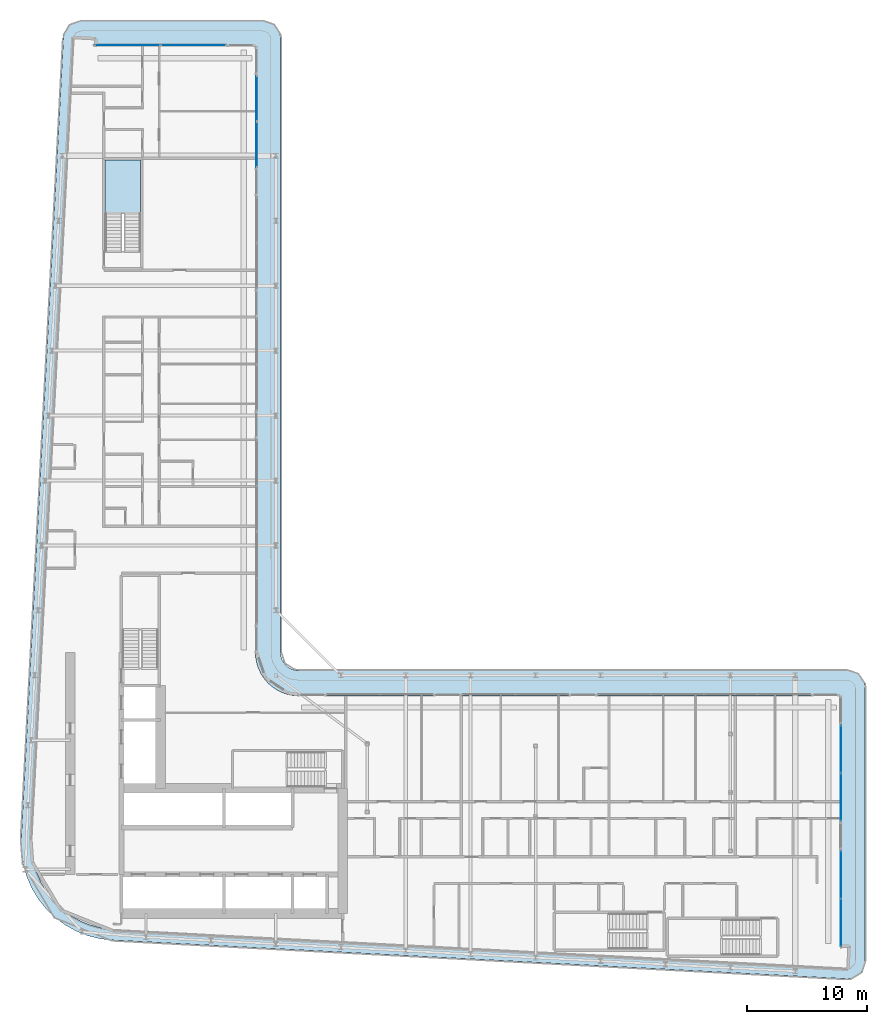
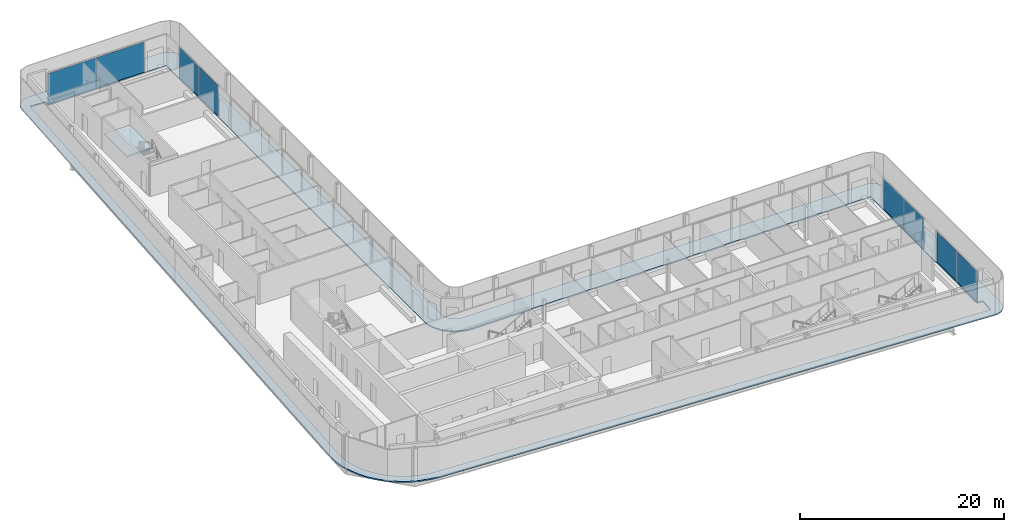
# One storey, part 13 of 29: 8 plates, 2 slabs, 5 elements without a shape of their own.
"""IFC4 building model written with IfcOpenShell, lengths in metres."""

from ifc_helpers import new_model, si_unit, direction, frame, origin, origin_2d, place, context, subcontext, project, spatial, polyline, rectangle, outline, extrude, material, layer, layer_set, type_object, element, aggregate, save


model = new_model("IFC4")

# Units and contexts
model_context = context("Model", 3, precision=1e-05, world=origin(), true_north=direction((0.0, 1.0)))
body_context = subcontext(model_context, "Body", "Model", "MODEL_VIEW")
ifc_project = project(units=[si_unit("LENGTHUNIT", "METRE"), si_unit("AREAUNIT", "SQUARE_METRE"), si_unit("VOLUMEUNIT", "CUBIC_METRE"), si_unit("PLANEANGLEUNIT", "RADIAN"), si_unit("MASSUNIT", "GRAM", prefix="KILO")], contexts=[model_context])

# Site, building, storey
site_placement = place(None, origin())
site = spatial("IfcSite", under=ifc_project, at=site_placement, CompositionType="ELEMENT")
building_placement = place(site_placement, origin())
building = spatial("IfcBuilding", under=site, at=building_placement, Name="Kheshtan School and Residences Tower", CompositionType="ELEMENT")
storey_placement = place(building_placement, frame((0.0, 0.0, 172.10009765625)))
storey = spatial("IfcBuildingStorey", under=building, at=storey_placement, Name="L40", CompositionType="ELEMENT", Elevation=172.10009765625)

# Curtain wall, plates
ifc_material_1 = material(Name="Clear low-e glass in thermally broken aluminium frame", Category="aluminium")
ifc_layer_1 = layer(ifc_material_1, 0.199951171875)
ifc_layer_set_1 = layer_set([ifc_layer_1], Name="Curtain wall CW-L")
curtain_wall_type = type_object("IfcCurtainWallType", Name="Curtain wall CW-L", PredefinedType="NOTDEFINED", material=ifc_layer_set_1)
curtain_wall_1_placement = place(storey_placement, origin())
curtain_wall_1 = element("IfcCurtainWall", 1, at=curtain_wall_1_placement, inside=storey, type_object=curtain_wall_type, Name="Curtain wall CWL7", PredefinedType="NOTDEFINED")
ifc_layer_2 = layer(ifc_material_1, 0.031982421875)
ifc_layer_set_2 = layer_set([ifc_layer_2], Name="CW-L glass panel")
plate_type = type_object("IfcPlateType", Name="CW-L glass panel", PredefinedType="CURTAIN_PANEL", material=ifc_layer_set_2)
plate_1_placement = place(storey_placement, frame((35.259033203125, 98.0, 0.0), z_axis=(0.0, 0.0, 1.0), x_axis=(1.0, 0.0, 0.0)))
plate_1 = element("IfcPlate", 2, at=plate_1_placement, type_object=plate_type, Name="CWL7 panel 1.1", PredefinedType="CURTAIN_PANEL", context=body_context, shape_type="SweptSolid", body=[
    extrude(rectangle(XDim=5.4140625, YDim=0.031982421875, at=origin_2d()), origin(), (0.0, 0.0, 1.0), 3.6298828125),
])
plate_2_placement = place(storey_placement, frame((40.73291015625, 98.0, 0.0), z_axis=(0.0, 0.0, 1.0), x_axis=(1.0, 0.0, 0.0)))
plate_2 = element("IfcPlate", 3, at=plate_2_placement, type_object=plate_type, Name="CWL7 panel 2.1", PredefinedType="CURTAIN_PANEL", context=body_context, shape_type="SweptSolid", body=[
    extrude(rectangle(XDim=5.4140625, YDim=0.031982421875, at=origin_2d()), origin(), (0.0, 0.0, 1.0), 3.6298828125),
])
aggregate(curtain_wall_1, [plate_1, plate_2])

curtain_wall_2_placement = place(storey_placement, origin())
curtain_wall_2 = element("IfcCurtainWall", 4, at=curtain_wall_2_placement, inside=storey, type_object=curtain_wall_type, Name="Curtain wall CWL8", PredefinedType="NOTDEFINED")
plate_3_placement = place(storey_placement, frame((46.0, 93.5615234375, 0.0), z_axis=(0.0, 0.0, 1.0), x_axis=(0.0, -1.0, 0.0)))
plate_3 = element("IfcPlate", 5, at=plate_3_placement, type_object=plate_type, Name="CWL8 panel 1.1", PredefinedType="CURTAIN_PANEL", context=body_context, shape_type="SweptSolid", body=[
    extrude(rectangle(XDim=3.757080078125, YDim=0.031982421875, at=origin_2d()), origin(), (0.0, 0.0, 1.0), 3.6298828125),
])
plate_4_placement = place(storey_placement, frame((46.0, 89.744384765625, 0.0), z_axis=(0.0, 0.0, 1.0), x_axis=(0.0, -1.0, 0.0)))
plate_4 = element("IfcPlate", 6, at=plate_4_placement, type_object=plate_type, Name="CWL8 panel 2.1", PredefinedType="CURTAIN_PANEL", context=body_context, shape_type="SweptSolid", body=[
    extrude(rectangle(XDim=3.757080078125, YDim=0.031982421875, at=origin_2d()), origin(), (0.0, 0.0, 1.0), 3.6298828125),
])
aggregate(curtain_wall_2, [plate_3, plate_4])

curtain_wall_3_placement = place(storey_placement, origin())
curtain_wall_3 = element("IfcCurtainWall", 7, at=curtain_wall_3_placement, inside=storey, type_object=curtain_wall_type, Name="Curtain wall CWL13a", PredefinedType="NOTDEFINED")
plate_5_placement = place(storey_placement, frame((94.60009765625, 39.47216796875, 0.0), z_axis=(0.0, 0.0, 1.0), x_axis=(0.0, -1.0, 0.0)))
plate_5 = element("IfcPlate", 8, at=plate_5_placement, type_object=plate_type, Name="CWL13a panel 1.1", PredefinedType="CURTAIN_PANEL", context=body_context, shape_type="SweptSolid", body=[
    extrude(rectangle(XDim=3.935546875, YDim=0.031982421875, at=origin_2d()), origin(), (0.0, 0.0, 1.0), 3.6298828125),
])
plate_6_placement = place(storey_placement, frame((94.60009765625, 35.476806640625, 0.0), z_axis=(0.0, 0.0, 1.0), x_axis=(0.0, -1.0, 0.0)))
plate_6 = element("IfcPlate", 9, at=plate_6_placement, type_object=plate_type, Name="CWL13a panel 2.1", PredefinedType="CURTAIN_PANEL", context=body_context, shape_type="SweptSolid", body=[
    extrude(rectangle(XDim=3.935546875, YDim=0.031982421875, at=origin_2d()), origin(), (0.0, 0.0, 1.0), 3.6298828125),
])
aggregate(curtain_wall_3, [plate_5, plate_6])

curtain_wall_4_placement = place(storey_placement, origin())
curtain_wall_4 = element("IfcCurtainWall", 10, at=curtain_wall_4_placement, inside=storey, type_object=curtain_wall_type, Name="Curtain wall CWL13a", PredefinedType="NOTDEFINED")
plate_7_placement = place(storey_placement, frame((94.60009765625, 29.021240234375, 0.0), z_axis=(0.0, 0.0, 1.0), x_axis=(0.0, -1.0, 0.0)))
plate_7 = element("IfcPlate", 11, at=plate_7_placement, type_object=plate_type, Name="CWL13a panel 1.1", PredefinedType="CURTAIN_PANEL", context=body_context, shape_type="SweptSolid", body=[
    extrude(rectangle(XDim=3.935546875, YDim=0.031982421875, at=origin_2d()), origin(), (0.0, 0.0, 1.0), 3.6298828125),
])
plate_8_placement = place(storey_placement, frame((94.60009765625, 25.025634765625, 0.0), z_axis=(0.0, 0.0, 1.0), x_axis=(0.0, -1.0, 0.0)))
plate_8 = element("IfcPlate", 12, at=plate_8_placement, type_object=plate_type, Name="CWL13a panel 2.1", PredefinedType="CURTAIN_PANEL", context=body_context, shape_type="SweptSolid", body=[
    extrude(rectangle(XDim=3.935546875, YDim=0.031982421875, at=origin_2d()), origin(), (0.0, 0.0, 1.0), 3.6298828125),
])
aggregate(curtain_wall_4, [plate_7, plate_8])

# Slab
ifc_material_2 = material(Name="Concrete C40/50", Category="concrete")
ifc_layer_3 = layer(ifc_material_2, 0.14990234375)
ifc_layer_set_3 = layer_set([ifc_layer_3], Name="Loggia balcony slab 150 Concrete C40/50")
slab_type_1 = type_object("IfcSlabType", Name="Loggia balcony slab 150 Concrete C40/50", PredefinedType="FLOOR", material=ifc_layer_set_3)
slab_1_placement = place(storey_placement, frame((0.0, 0.0, -0.150146484375)))
element("IfcSlab", 13, at=slab_1_placement, inside=storey, type_object=slab_type_1, Name="Loggia balcony slab L40", PredefinedType="FLOOR", context=body_context, shape_type="SweptSolid", body=[
    extrude(outline(polyline([(28.4580078125, 26.222900390625), (28.45703125, 26.222900390625), (28.45703125, 26.22412109375), (28.4560546875, 26.22412109375), (27.81494140625, 27.0390625), (27.281005859375, 27.93798828125), (26.867919921875, 28.89990234375), (26.583984375, 29.89990234375), (26.583984375, 29.906982421875), (26.43408203125, 30.943115234375), (26.419921875, 31.989013671875), (29.925048828125, 98.5791015625), (29.930908203125, 98.626953125), (29.930908203125, 98.6279296875), (29.929931640625, 98.6279296875), (29.929931640625, 98.62890625), (29.928955078125, 98.62890625), (29.928955078125, 98.6298828125), (29.927978515625, 98.6298828125), (29.927978515625, 98.631103515625), (29.927001953125, 98.631103515625), (29.927001953125, 98.632080078125), (29.927001953125, 98.633056640625), (29.945068359375, 98.781005859375), (29.945068359375, 98.783935546875), (29.945068359375, 98.784912109375), (29.946044921875, 98.784912109375), (29.946044921875, 98.785888671875), (29.947021484375, 98.785888671875), (29.947021484375, 98.787109375), (29.947998046875, 98.787109375), (29.948974609375, 98.787109375), (29.948974609375, 98.7880859375), (29.949951171875, 98.7880859375), (29.949951171875, 98.7890625), (29.949951171875, 98.791015625), (30.0029296875, 98.98388671875), (30.083984375, 99.175048828125), (30.18896484375, 99.35302734375), (30.31103515625, 99.507080078125), (30.31201171875, 99.507080078125), (30.31201171875, 99.508056640625), (30.31298828125, 99.508056640625), (30.31298828125, 99.509033203125), (30.31396484375, 99.509033203125), (30.31396484375, 99.510009765625), (30.31494140625, 99.510009765625), (30.31494140625, 99.510986328125), (30.31591796875, 99.510986328125), (30.31591796875, 99.511962890625), (30.31689453125, 99.511962890625), (30.31689453125, 99.512939453125), (30.318115234375, 99.512939453125), (30.320068359375, 99.512939453125), (30.321044921875, 99.512939453125), (30.321044921875, 99.513916015625), (30.468017578125, 99.656982421875), (30.468994140625, 99.656982421875), (30.468994140625, 99.657958984375), (30.469970703125, 99.657958984375), (30.469970703125, 99.658935546875), (30.470947265625, 99.658935546875), (30.470947265625, 99.659912109375), (30.471923828125, 99.659912109375), (30.471923828125, 99.660888671875), (30.472900390625, 99.660888671875), (30.472900390625, 99.662109375), (30.47412109375, 99.662109375), (30.47412109375, 99.6630859375), (30.47509765625, 99.6630859375), (30.47509765625, 99.6640625), (30.635986328125, 99.777099609375), (30.820068359375, 99.873046875), (31.007080078125, 99.943115234375), (31.013916015625, 99.943115234375), (31.217041015625, 99.986083984375), (31.423095703125, 100.0), (46.5, 100.0), (46.696044921875, 99.987060546875), (46.887939453125, 99.948974609375), (46.89501953125, 99.948974609375), (47.073974609375, 99.885986328125), (47.242919921875, 99.801025390625), (47.243896484375, 99.801025390625), (47.2470703125, 99.801025390625), (47.248046875, 99.801025390625), (47.248046875, 99.802001953125), (47.2490234375, 99.802001953125), (47.2490234375, 99.802978515625), (47.25, 99.802978515625), (47.2529296875, 99.802978515625), (47.25390625, 99.802978515625), (47.25390625, 99.802001953125), (47.2548828125, 99.802001953125), (47.2548828125, 99.801025390625), (47.256103515625, 99.801025390625), (47.256103515625, 99.800048828125), (47.257080078125, 99.800048828125), (47.257080078125, 99.799072265625), (47.258056640625, 99.799072265625), (47.258056640625, 99.798095703125), (47.412109375, 99.696044921875), (47.4130859375, 99.696044921875), (47.4130859375, 99.695068359375), (47.4140625, 99.695068359375), (47.4140625, 99.694091796875), (47.4140625, 99.68994140625), (47.4140625, 99.68896484375), (47.4150390625, 99.68896484375), (47.4150390625, 99.68798828125), (47.416015625, 99.68798828125), (47.416015625, 99.68701171875), (47.4169921875, 99.68701171875), (47.4169921875, 99.68603515625), (47.554931640625, 99.568115234375), (47.554931640625, 99.56689453125), (47.555908203125, 99.56689453125), (47.555908203125, 99.56591796875), (47.556884765625, 99.56591796875), (47.556884765625, 99.56494140625), (47.55810546875, 99.56494140625), (47.55810546875, 99.56396484375), (47.55908203125, 99.56396484375), (47.55908203125, 99.56298828125), (47.56005859375, 99.56298828125), (47.56005859375, 99.56201171875), (47.56103515625, 99.56201171875), (47.56201171875, 99.56103515625), (47.56201171875, 99.56005859375), (47.56298828125, 99.56005859375), (47.56298828125, 99.55908203125), (47.56396484375, 99.55908203125), (47.56396484375, 99.55810546875), (47.56494140625, 99.55810546875), (47.56494140625, 99.556884765625), (47.56591796875, 99.556884765625), (47.56591796875, 99.555908203125), (47.56689453125, 99.555908203125), (47.56689453125, 99.554931640625), (47.568115234375, 99.554931640625), (47.68505859375, 99.41796875), (47.68603515625, 99.41796875), (47.68603515625, 99.4169921875), (47.68701171875, 99.4169921875), (47.68701171875, 99.416015625), (47.68798828125, 99.416015625), (47.68798828125, 99.4150390625), (47.68896484375, 99.4150390625), (47.68896484375, 99.4140625), (47.68994140625, 99.4140625), (47.694091796875, 99.4140625), (47.695068359375, 99.4140625), (47.695068359375, 99.4130859375), (47.696044921875, 99.4130859375), (47.696044921875, 99.412109375), (47.797119140625, 99.259033203125), (47.798095703125, 99.259033203125), (47.798095703125, 99.258056640625), (47.799072265625, 99.258056640625), (47.799072265625, 99.257080078125), (47.800048828125, 99.257080078125), (47.800048828125, 99.256103515625), (47.801025390625, 99.256103515625), (47.801025390625, 99.2548828125), (47.802001953125, 99.2548828125), (47.802001953125, 99.25390625), (47.802978515625, 99.25390625), (47.802978515625, 99.2529296875), (47.802978515625, 99.25), (47.802978515625, 99.2490234375), (47.802001953125, 99.2490234375), (47.802001953125, 99.248046875), (47.801025390625, 99.248046875), (47.801025390625, 99.2470703125), (47.801025390625, 99.243896484375), (47.801025390625, 99.242919921875), (47.885986328125, 99.073974609375), (47.948974609375, 98.89501953125), (47.948974609375, 98.887939453125), (47.987060546875, 98.696044921875), (48.0, 98.5), (48.0, 47.5), (48.012939453125, 47.303955078125), (48.051025390625, 47.113037109375), (48.051025390625, 47.10693359375), (48.051025390625, 47.10595703125), (48.114013671875, 46.926025390625), (48.200927734375, 46.75), (48.31005859375, 46.5869140625), (48.431884765625, 46.444091796875), (48.43310546875, 46.444091796875), (48.43310546875, 46.443115234375), (48.43408203125, 46.443115234375), (48.43408203125, 46.44189453125), (48.43505859375, 46.44189453125), (48.43505859375, 46.44091796875), (48.43603515625, 46.44091796875), (48.43603515625, 46.43994140625), (48.43701171875, 46.43994140625), (48.43701171875, 46.43896484375), (48.43798828125, 46.43896484375), (48.43896484375, 46.43798828125), (48.43896484375, 46.43701171875), (48.43994140625, 46.43701171875), (48.43994140625, 46.43603515625), (48.44091796875, 46.43603515625), (48.44091796875, 46.43505859375), (48.44189453125, 46.43505859375), (48.44189453125, 46.43408203125), (48.443115234375, 46.43408203125), (48.443115234375, 46.43310546875), (48.444091796875, 46.43310546875), (48.444091796875, 46.431884765625), (48.5869140625, 46.31005859375), (48.75, 46.200927734375), (48.926025390625, 46.114013671875), (49.10595703125, 46.051025390625), (49.10693359375, 46.051025390625), (49.113037109375, 46.051025390625), (49.303955078125, 46.012939453125), (49.5, 46.0), (95.10009765625, 46.0), (95.2958984375, 45.987060546875), (95.488037109375, 45.948974609375), (95.4951171875, 45.948974609375), (95.674072265625, 45.885986328125), (95.842041015625, 45.801025390625), (95.843017578125, 45.801025390625), (95.846923828125, 45.801025390625), (95.847900390625, 45.801025390625), (95.847900390625, 45.802001953125), (95.84912109375, 45.802001953125), (95.84912109375, 45.802978515625), (95.85009765625, 45.802978515625), (95.85302734375, 45.802978515625), (95.85400390625, 45.802978515625), (95.85400390625, 45.802001953125), (95.85498046875, 45.802001953125), (95.85498046875, 45.801025390625), (95.85595703125, 45.801025390625), (95.85595703125, 45.800048828125), (95.85693359375, 45.800048828125), (95.85693359375, 45.799072265625), (95.85791015625, 45.799072265625), (95.85791015625, 45.798095703125), (95.85888671875, 45.798095703125), (95.85888671875, 45.797119140625), (95.860107421875, 45.797119140625), (95.860107421875, 45.7958984375), (96.011962890625, 45.696044921875), (96.012939453125, 45.696044921875), (96.012939453125, 45.695068359375), (96.013916015625, 45.695068359375), (96.013916015625, 45.694091796875), (96.013916015625, 45.68994140625), (96.013916015625, 45.68896484375), (96.014892578125, 45.68896484375), (96.014892578125, 45.68798828125), (96.01611328125, 45.68798828125), (96.01611328125, 45.68701171875), (96.01708984375, 45.68701171875), (96.01708984375, 45.68603515625), (96.01806640625, 45.68603515625), (96.01806640625, 45.68505859375), (96.01904296875, 45.68505859375), (96.01904296875, 45.68408203125), (96.155029296875, 45.568115234375), (96.155029296875, 45.56689453125), (96.156005859375, 45.56689453125), (96.156005859375, 45.56591796875), (96.156982421875, 45.56591796875), (96.156982421875, 45.56494140625), (96.157958984375, 45.56494140625), (96.157958984375, 45.56396484375), (96.158935546875, 45.56396484375), (96.158935546875, 45.56298828125), (96.159912109375, 45.56298828125), (96.159912109375, 45.56201171875), (96.160888671875, 45.56201171875), (96.162109375, 45.56103515625), (96.162109375, 45.56005859375), (96.1630859375, 45.56005859375), (96.1630859375, 45.55908203125), (96.1640625, 45.55908203125), (96.1640625, 45.55810546875), (96.1650390625, 45.55810546875), (96.1650390625, 45.556884765625), (96.166015625, 45.556884765625), (96.166015625, 45.555908203125), (96.1669921875, 45.555908203125), (96.1669921875, 45.554931640625), (96.16796875, 45.554931640625), (96.281982421875, 45.4208984375), (96.282958984375, 45.4208984375), (96.282958984375, 45.419921875), (96.283935546875, 45.419921875), (96.283935546875, 45.4189453125), (96.284912109375, 45.4189453125), (96.284912109375, 45.41796875), (96.285888671875, 45.41796875), (96.285888671875, 45.4169921875), (96.287109375, 45.4169921875), (96.287109375, 45.416015625), (96.2880859375, 45.416015625), (96.2880859375, 45.4150390625), (96.2890625, 45.4150390625), (96.2890625, 45.4140625), (96.2900390625, 45.4140625), (96.2939453125, 45.4140625), (96.294921875, 45.4140625), (96.294921875, 45.4130859375), (96.2958984375, 45.4130859375), (96.2958984375, 45.412109375), (96.39404296875, 45.261962890625), (96.39501953125, 45.261962890625), (96.39501953125, 45.260986328125), (96.39599609375, 45.260986328125), (96.39599609375, 45.260009765625), (96.39697265625, 45.260009765625), (96.39697265625, 45.259033203125), (96.39794921875, 45.259033203125), (96.39794921875, 45.258056640625), (96.39892578125, 45.258056640625), (96.39892578125, 45.257080078125), (96.39990234375, 45.257080078125), (96.39990234375, 45.256103515625), (96.40087890625, 45.256103515625), (96.40087890625, 45.2548828125), (96.402099609375, 45.2548828125), (96.402099609375, 45.25390625), (96.403076171875, 45.25390625), (96.403076171875, 45.2529296875), (96.403076171875, 45.25), (96.403076171875, 45.2490234375), (96.402099609375, 45.2490234375), (96.402099609375, 45.248046875), (96.40087890625, 45.248046875), (96.40087890625, 45.2470703125), (96.40087890625, 45.240966796875), (96.40087890625, 45.239990234375), (96.486083984375, 45.073974609375), (96.549072265625, 44.89501953125), (96.549072265625, 44.887939453125), (96.5869140625, 44.696044921875), (96.60009765625, 44.5), (96.60009765625, 21.864990234375), (96.5859375, 21.6630859375), (96.544921875, 21.464111328125), (96.544921875, 21.45703125), (96.47802734375, 21.27294921875), (96.385986328125, 21.093017578125), (96.27099609375, 20.927001953125), (96.27099609375, 20.926025390625), (96.27099609375, 20.925048828125), (96.27099609375, 20.924072265625), (96.27197265625, 20.924072265625), (96.27197265625, 20.923095703125), (96.27197265625, 20.9208984375), (96.27197265625, 20.919921875), (96.27099609375, 20.919921875), (96.27099609375, 20.9189453125), (96.137939453125, 20.77587890625), (96.135009765625, 20.77294921875), (96.134033203125, 20.77294921875), (96.134033203125, 20.77197265625), (96.133056640625, 20.77197265625), (96.131103515625, 20.77197265625), (96.1298828125, 20.77197265625), (96.1298828125, 20.77294921875), (96.12890625, 20.77294921875), (96.1279296875, 20.77294921875), (96.126953125, 20.77294921875), (95.97607421875, 20.64794921875), (95.803955078125, 20.541015625), (95.618896484375, 20.4580078125), (95.430908203125, 20.40087890625), (95.424072265625, 20.40087890625), (95.22412109375, 20.3701171875), (95.02099609375, 20.366943359375), (33.989013671875, 23.580078125), (33.94189453125, 23.5859375), (33.94091796875, 23.5859375), (33.93994140625, 23.5859375), (33.93994140625, 23.5849609375), (33.93896484375, 23.5849609375), (33.93896484375, 23.583984375), (33.93798828125, 23.583984375), (33.93798828125, 23.5830078125), (33.93701171875, 23.5830078125), (33.93701171875, 23.58203125), (33.93603515625, 23.58203125), (33.93505859375, 23.58203125), (32.952880859375, 23.697998046875), (32.949951171875, 23.697998046875), (32.948974609375, 23.697998046875), (32.948974609375, 23.698974609375), (32.947998046875, 23.698974609375), (32.947998046875, 23.699951171875), (32.947021484375, 23.699951171875), (32.947021484375, 23.700927734375), (32.947021484375, 23.702880859375), (32.947021484375, 23.7041015625), (32.946044921875, 23.7041015625), (32.946044921875, 23.705078125), (32.945068359375, 23.705078125), (32.944091796875, 23.705078125), (31.93603515625, 23.9609375), (31.928955078125, 23.9609375), (30.964111328125, 24.34912109375), (30.051025390625, 24.860107421875), (29.218994140625, 25.47900390625), (29.218994140625, 25.47998046875), (29.218017578125, 25.47998046875), (29.218017578125, 25.48095703125), (29.217041015625, 25.48095703125), (29.217041015625, 25.48193359375), (29.216064453125, 25.48193359375), (29.216064453125, 25.48291015625), (29.215087890625, 25.48291015625), (29.215087890625, 25.48388671875), (29.214111328125, 25.48388671875), (29.214111328125, 25.485107421875), (29.212890625, 25.485107421875), (29.212890625, 25.486083984375), (29.2119140625, 25.486083984375), (28.466064453125, 26.217041015625), (28.466064453125, 26.218017578125), (28.465087890625, 26.218017578125), (28.462890625, 26.218017578125), (28.4619140625, 26.218017578125), (28.4619140625, 26.218994140625), (28.4609375, 26.218994140625), (28.4609375, 26.219970703125), (28.4599609375, 26.219970703125), (28.4599609375, 26.220947265625), (28.458984375, 26.220947265625), (28.458984375, 26.221923828125), (28.4580078125, 26.221923828125), (28.4580078125, 26.222900390625)]), holes=[polyline([(29.12890625, 26.824951171875), (29.12890625, 26.823974609375), (29.1298828125, 26.823974609375), (29.1298828125, 26.822998046875), (29.131103515625, 26.822998046875), (29.131103515625, 26.822021484375), (29.132080078125, 26.822021484375), (29.132080078125, 26.821044921875), (29.133056640625, 26.821044921875), (29.133056640625, 26.820068359375), (29.134033203125, 26.820068359375), (29.794921875, 26.173095703125), (29.794921875, 26.172119140625), (29.7958984375, 26.172119140625), (29.798095703125, 26.172119140625), (29.799072265625, 26.172119140625), (29.799072265625, 26.1708984375), (29.800048828125, 26.1708984375), (29.800048828125, 26.169921875), (29.801025390625, 26.169921875), (29.801025390625, 26.1689453125), (29.802001953125, 26.1689453125), (29.802001953125, 26.16796875), (29.802978515625, 26.16796875), (29.802978515625, 26.1669921875), (29.803955078125, 26.1669921875), (29.803955078125, 26.166015625), (30.541015625, 25.616943359375), (31.35205078125, 25.1630859375), (32.208984375, 24.819091796875), (32.2099609375, 24.819091796875), (32.216064453125, 24.819091796875), (33.114990234375, 24.590087890625), (34.06591796875, 24.47705078125), (95.0380859375, 21.26708984375), (95.06494140625, 21.26806640625), (95.06591796875, 21.26806640625), (95.06689453125, 21.26806640625), (95.06689453125, 21.26904296875), (95.068115234375, 21.26904296875), (95.068115234375, 21.27001953125), (95.068115234375, 21.27099609375), (95.157958984375, 22.9599609375), (95.157958984375, 22.9609375), (95.157958984375, 22.9619140625), (95.156982421875, 22.9619140625), (95.156982421875, 22.962890625), (95.156005859375, 22.962890625), (95.155029296875, 22.962890625), (94.5009765625, 22.998046875), (94.5, 22.998046875), (94.5, 22.9990234375), (94.5, 43.89794921875), (94.5, 43.89892578125), (94.4990234375, 43.89892578125), (94.4990234375, 43.89990234375), (94.498046875, 43.89990234375), (49.429931640625, 43.89990234375), (49.030029296875, 43.927001953125), (48.569091796875, 44.01806640625), (48.56201171875, 44.01806640625), (48.1201171875, 44.169921875), (47.697021484375, 44.37890625), (47.30810546875, 44.638916015625), (46.95703125, 44.944091796875), (46.95703125, 44.945068359375), (46.9560546875, 44.945068359375), (46.9560546875, 44.946044921875), (46.955078125, 44.946044921875), (46.955078125, 44.947021484375), (46.9541015625, 44.947021484375), (46.9541015625, 44.947998046875), (46.952880859375, 44.947998046875), (46.952880859375, 44.948974609375), (46.951904296875, 44.948974609375), (46.951904296875, 44.949951171875), (46.951904296875, 44.950927734375), (46.950927734375, 44.950927734375), (46.950927734375, 44.951904296875), (46.949951171875, 44.951904296875), (46.948974609375, 44.951904296875), (46.948974609375, 44.952880859375), (46.947998046875, 44.952880859375), (46.947998046875, 44.9541015625), (46.947021484375, 44.9541015625), (46.947021484375, 44.955078125), (46.946044921875, 44.955078125), (46.946044921875, 44.9560546875), (46.945068359375, 44.9560546875), (46.945068359375, 44.95703125), (46.944091796875, 44.95703125), (46.638916015625, 45.30810546875), (46.37890625, 45.697021484375), (46.169921875, 46.1201171875), (46.01806640625, 46.56201171875), (46.01806640625, 46.569091796875), (45.927001953125, 47.030029296875), (45.89990234375, 47.429931640625), (45.89990234375, 97.89794921875), (45.89990234375, 97.89892578125), (45.89892578125, 97.89892578125), (45.89892578125, 97.89990234375), (45.89794921875, 97.89990234375), (32.492919921875, 97.89990234375), (32.491943359375, 97.89990234375), (32.52099609375, 98.43896484375), (32.52099609375, 98.43994140625), (32.52099609375, 98.44091796875), (32.52001953125, 98.44091796875), (32.52001953125, 98.44189453125), (32.51904296875, 98.44189453125), (32.51806640625, 98.44189453125), (30.8291015625, 98.531982421875), (30.827880859375, 98.531982421875), (30.826904296875, 98.531982421875), (30.826904296875, 98.531005859375), (30.825927734375, 98.531005859375), (30.825927734375, 98.530029296875), (30.825927734375, 98.529052734375), (30.822021484375, 98.5009765625), (27.320068359375, 31.970947265625), (27.3330078125, 31.013916015625), (27.466064453125, 30.093994140625), (27.466064453125, 30.087890625), (27.466064453125, 30.0869140625), (27.718017578125, 29.200927734375), (28.0849609375, 28.345947265625), (28.55908203125, 27.550048828125), (29.126953125, 26.825927734375), (29.1279296875, 26.825927734375), (29.1279296875, 26.824951171875), (29.12890625, 26.824951171875)])]), origin(), (0.0, 0.0, 1.0), 0.150146484375),
])

# Stair, slab
stair_type = type_object("IfcStairType", Name="Exit stair, half-turn", PredefinedType="HALF_TURN_STAIR", material=ifc_material_2)
stair_placement = place(storey_placement, origin())
stair = element("IfcStair", 14, at=stair_placement, inside=storey, type_object=stair_type, Name="L40 Protected Exit Stair ST3", PredefinedType="HALF_TURN_STAIR")
ifc_layer_4 = layer(ifc_material_2, 0.199951171875)
ifc_layer_set_4 = layer_set([ifc_layer_4], Name="Stair landing 200 Concrete C40/50")
slab_type_2 = type_object("IfcSlabType", Name="Stair landing 200 Concrete C40/50", PredefinedType="LANDING", material=ifc_layer_set_4)
slab_2_placement = place(storey_placement, frame((0.0, 0.0, 1.75)))
slab_2 = element("IfcSlab", 15, at=slab_2_placement, type_object=slab_type_2, Name="ST3 landing 1", PredefinedType="LANDING", context=body_context, shape_type="SweptSolid", body=[
    extrude(outline(polyline([(36.35009765625, 83.97998046875), (36.35009765625, 88.4599609375), (33.39990234375, 88.4599609375), (33.39990234375, 83.97998046875), (36.35009765625, 83.97998046875)])), origin(), (0.0, 0.0, 1.0), 0.199951171875),
])
aggregate(stair, [slab_2])

save(model, "model.ifc")
